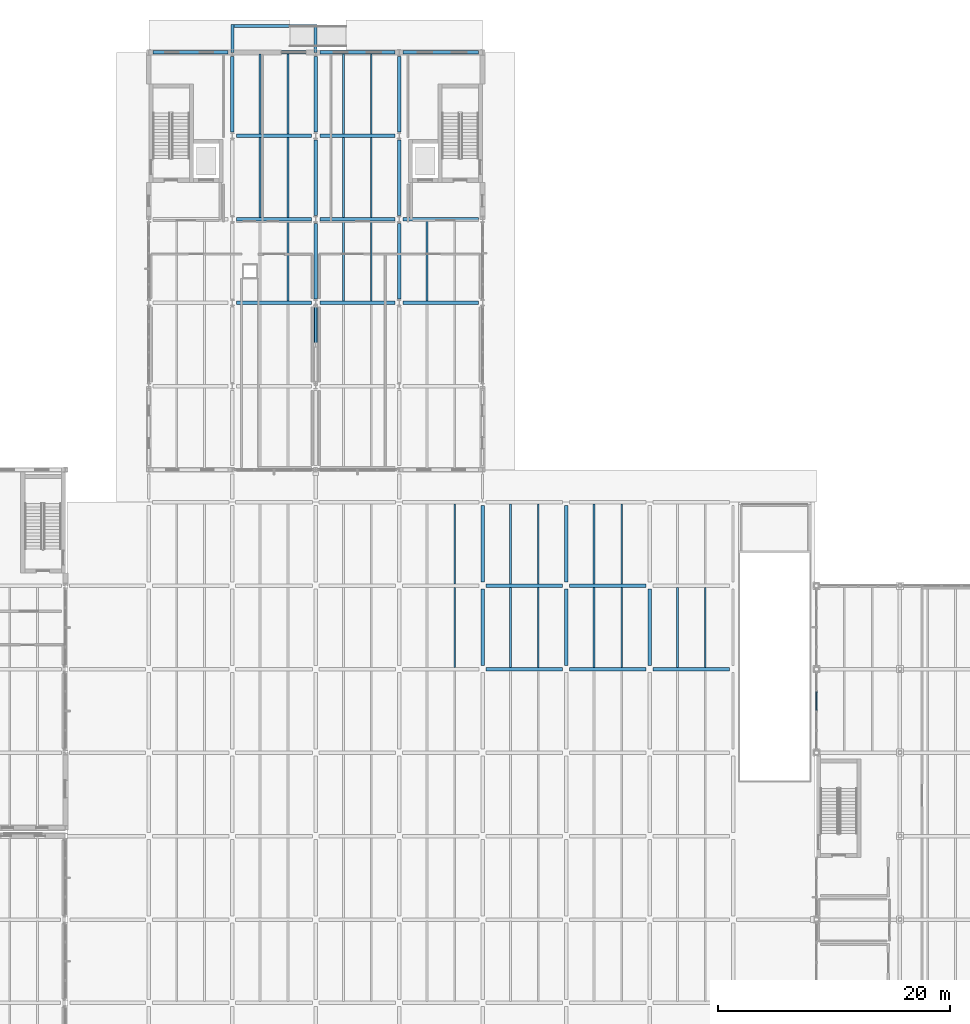
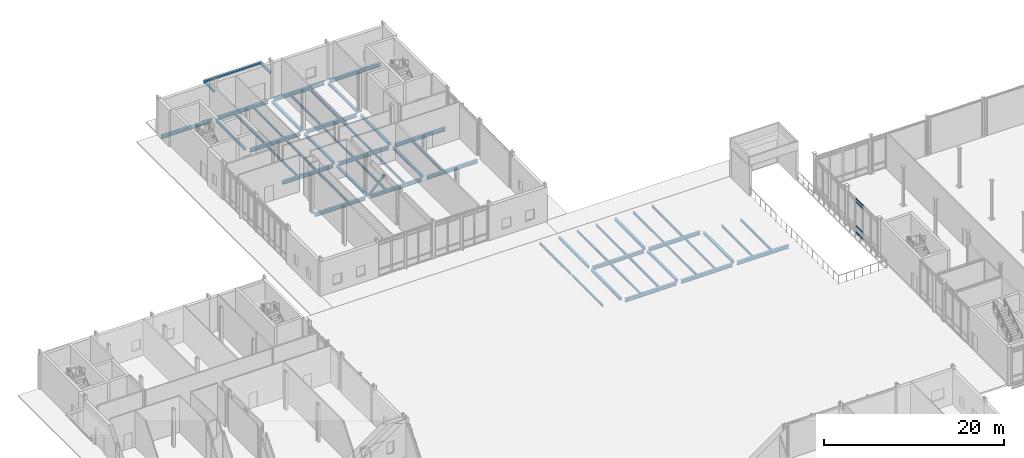
# One storey, part 33 of 89: 56 beams, 5 members, 1 element without a shape of its own.
"""IFC4 building model written with IfcOpenShell, lengths in metres."""

import ifcopenshell
import ifcopenshell.guid

model = None  # the IFC model being written
_history = None  # IfcOwnerHistory: only IFC2X3 demands one
_inside = {}  # id of a spatial element -> (the spatial element, [elements in it])
_under = {}  # id of a project, library or spatial element -> (it, [spatial elements below it])
_declared = {}  # id of a project -> (the project, [libraries it declares])
_typed = {}  # id of a type object -> (the type object, [elements of that type])
_made_of = {}  # id of a material, layer set ... -> (it, [elements and type objects made of it])


def new_model(schema):
    """Start an empty IFC model of exactly this schema.

    Asked for "IFC4X3", IfcOpenShell would pick the latest addendum, in which some entities
    have other attributes; the version numbers below select the first issue.
    IFC2X3 requires an IfcOwnerHistory on every rooted entity: one is made here for all.
    """
    global model, _history
    if schema == "IFC4X3":
        model = ifcopenshell.file(schema_version=(4, 3, 0, 0))
    else:
        model = ifcopenshell.file(schema=schema)
    _inside.clear()
    _under.clear()
    _declared.clear()
    _typed.clear()
    _made_of.clear()
    _history = None
    if model.schema == "IFC2X3":
        org = make("IfcOrganization", Name="unknown")
        user = make(
            "IfcPersonAndOrganization",
            ThePerson=make("IfcPerson", FamilyName="unknown"),
            TheOrganization=org,
        )
        app = make(
            "IfcApplication",
            ApplicationDeveloper=org,
            Version="unknown",
            ApplicationFullName="unknown",
            ApplicationIdentifier="unknown",
        )
        _history = make(
            "IfcOwnerHistory",
            OwningUser=user,
            OwningApplication=app,
            ChangeAction="ADDED",
            CreationDate=0,
        )
    return model


def make(cls, **values):
    """One entity of the class cls with the attributes given. An attribute that is None is left unset."""
    return model.create_entity(
        cls, **{name: value for name, value in values.items() if value is not None}
    )


def rooted(cls, **values):
    """An entity with a GlobalId (a new one), such as an element, a storey or a relation."""
    return make(cls, GlobalId=ifcopenshell.guid.new(), OwnerHistory=_history, **values)


def si_unit(unit_type, name, prefix=None):
    """IfcSIUnit, for example si_unit("LENGTHUNIT", "METRE", prefix="MILLI")."""
    return make("IfcSIUnit", UnitType=unit_type, Prefix=prefix, Name=name)


def assignment(units):
    """IfcUnitAssignment: the units of a project."""
    return None if units is None else make("IfcUnitAssignment", Units=units)


def point(xyz):
    """IfcCartesianPoint."""
    return None if xyz is None else make("IfcCartesianPoint", Coordinates=xyz)


def direction(xyz):
    """IfcDirection."""
    return None if xyz is None else make("IfcDirection", DirectionRatios=xyz)


def frame(location, z_axis=None, x_axis=None):
    """IfcAxis2Placement3D, a coordinate frame: its origin and axes. An axis left out is left unset."""
    return make(
        "IfcAxis2Placement3D",
        Location=point(location),
        Axis=direction(z_axis),
        RefDirection=direction(x_axis),
    )


def frame_2d(location, x_axis=None):
    """IfcAxis2Placement2D, a coordinate frame in the plane: its origin and x axis."""
    return make(
        "IfcAxis2Placement2D", Location=point(location), RefDirection=direction(x_axis)
    )


def origin():
    """The frame at (0, 0, 0) with its axes left unset."""
    return frame((0.0, 0.0, 0.0))


def origin_2d():
    """The frame at (0, 0) in the plane with its x axis left unset."""
    return frame_2d((0.0, 0.0))


def place(relative_to, where):
    """IfcLocalPlacement: puts the frame where relative to a parent placement (None: the world)."""
    return make(
        "IfcLocalPlacement", PlacementRelTo=relative_to, RelativePlacement=where
    )


def context(
    kind, dimensions, precision=None, world=None, true_north=None, identifier=None
):
    """IfcGeometricRepresentationContext, for example the 3D "Model" context."""
    return make(
        "IfcGeometricRepresentationContext",
        ContextIdentifier=identifier,
        ContextType=kind,
        CoordinateSpaceDimension=dimensions,
        Precision=precision,
        WorldCoordinateSystem=world,
        TrueNorth=true_north,
    )


def subcontext(parent, identifier, kind, view, scale=None):
    """IfcGeometricRepresentationSubContext, for example "Body" below "Model"."""
    return make(
        "IfcGeometricRepresentationSubContext",
        ContextIdentifier=identifier,
        ContextType=kind,
        ParentContext=parent,
        TargetScale=scale,
        TargetView=view,
    )


def project(units=None, contexts=None):
    """IfcProject with its units and contexts."""
    return rooted(
        "IfcProject",
        Name="project",
        RepresentationContexts=contexts,
        UnitsInContext=assignment(units),
    )


def spatial(cls, under=None, at=None, **own):
    """A site, building, storey or space (cls), placed at a placement, below another one or the project."""
    s = rooted(cls, ObjectPlacement=at, **own)
    if under is not None:
        _under.setdefault(under.id(), (under, []))[1].append(s)
    return s


def profile(cls, at=None, kind="AREA", **sizes):
    """A parametric profile (cls). Its sizes go by their IFC names, for example OverallWidth=200.0."""
    return make(cls, ProfileType=kind, Position=at, **sizes)


def rectangle(**sizes):
    """IfcRectangleProfileDef."""
    return profile("IfcRectangleProfileDef", **sizes)


def hollow_circle(**sizes):
    """IfcCircleHollowProfileDef."""
    return profile("IfcCircleHollowProfileDef", **sizes)


def i_section(**sizes):
    """IfcIShapeProfileDef."""
    return profile("IfcIShapeProfileDef", **sizes)


def extrude(swept, where, along, depth):
    """IfcExtrudedAreaSolid: the profile swept, set in the frame where, extruded along a direction by depth."""
    return make(
        "IfcExtrudedAreaSolid",
        SweptArea=swept,
        Position=where,
        ExtrudedDirection=direction(along),
        Depth=depth,
    )


def shape(context_of_items, identifier, shape_type, items):
    """IfcShapeRepresentation: the items that make up one representation, for example the "Body"."""
    return make(
        "IfcShapeRepresentation",
        ContextOfItems=context_of_items,
        RepresentationIdentifier=identifier,
        RepresentationType=shape_type,
        Items=items,
    )


def material(Name=None, Category=None):
    """IfcMaterial."""
    return make("IfcMaterial", Name=Name, Category=Category)


def layer(
    of_material, thickness, ventilated=None, Name=None, Category=None, Priority=None
):
    """IfcMaterialLayer: one layer of a wall or slab, of a material (None: an air gap)."""
    return make(
        "IfcMaterialLayer",
        Material=of_material,
        LayerThickness=thickness,
        IsVentilated=ventilated,
        Name=Name,
        Category=Category,
        Priority=Priority,
    )


def layer_set(layers, Name=None):
    """IfcMaterialLayerSet."""
    return make("IfcMaterialLayerSet", MaterialLayers=layers, LayerSetName=Name)


def material_profile(
    of_material, cross_section, Name=None, Category=None, Priority=None
):
    """IfcMaterialProfile: a cross section and its material."""
    return make(
        "IfcMaterialProfile",
        Name=Name,
        Material=of_material,
        Profile=cross_section,
        Priority=Priority,
        Category=Category,
    )


def profile_set(profiles, Name=None, composite=None):
    """IfcMaterialProfileSet."""
    return make(
        "IfcMaterialProfileSet",
        Name=Name,
        MaterialProfiles=profiles,
        CompositeProfile=composite,
    )


def made_of(thing, what):
    """Note that an element or type object is made of a material, layer set ...; save() writes the relation."""
    if what is not None:
        _made_of.setdefault(what.id(), (what, []))[1].append(thing)
    return thing


def type_object(cls, material=None, **own):
    """A type object (cls), such as IfcWallType, which elements share."""
    return made_of(rooted(cls, **own), material)


def element(
    cls,
    number,
    at=None,
    inside=None,
    cuts=None,
    type_object=None,
    material=None,
    context=None,
    identifier="Body",
    shape_type=None,
    held_by="IfcProductDefinitionShape",
    body=None,
    shapes=None,
    **own,
):
    """One element of the class cls, such as IfcWall. Its Tag is "e" and its number.

    at: its placement. inside: the storey or other place that contains it. cuts: it is an
    opening in that element (IfcRelVoidsElement). A single representation is given by context,
    identifier, shape_type and body (its items); several are given by shapes. held_by: the class
    of the entity that holds the representations. save() writes the other relations.
    """
    e = rooted(cls, Tag="e%d" % number, ObjectPlacement=at, **own)
    if body is not None:
        shapes = [shape(context, identifier, shape_type, body)]
    if shapes is not None:
        e.Representation = make(held_by, Representations=shapes)
    if inside is not None:
        _inside.setdefault(inside.id(), (inside, []))[1].append(e)
    if cuts is not None:
        rooted(
            "IfcRelVoidsElement", RelatingBuildingElement=cuts, RelatedOpeningElement=e
        )
    if type_object is not None:
        _typed.setdefault(type_object.id(), (type_object, []))[1].append(e)
    return made_of(e, material)


def aggregate(whole, parts):
    """IfcRelAggregates: a whole, such as a stair, and the parts it consists of."""
    return rooted("IfcRelAggregates", RelatingObject=whole, RelatedObjects=parts)


def save(model, path):
    """Write the relations noted so far, then the file.

    IfcRelAggregates (storeys below a building ...), IfcRelContainedInSpatialStructure (elements
    in a storey), IfcRelDefinesByType, IfcRelAssociatesMaterial and IfcRelDeclares: one each for
    every whole, place, type object, material and project.
    """
    for whole, parts in _under.values():
        aggregate(whole, parts)
    for where, things in _inside.values():
        rooted(
            "IfcRelContainedInSpatialStructure",
            RelatedElements=things,
            RelatingStructure=where,
        )
    for kind, things in _typed.values():
        rooted("IfcRelDefinesByType", RelatedObjects=things, RelatingType=kind)
    for what, things in _made_of.values():
        rooted("IfcRelAssociatesMaterial", RelatedObjects=things, RelatingMaterial=what)
    for by, libraries in _declared.values():
        rooted("IfcRelDeclares", RelatingContext=by, RelatedDefinitions=libraries)
    model.write(path)


model = new_model("IFC4")

# Units and contexts
model_context = context("Model", 3, precision=1e-05, world=origin(), true_north=direction((0.0, 1.0)))
body_context = subcontext(model_context, "Body", "Model", "MODEL_VIEW")
ifc_project = project(units=[si_unit("LENGTHUNIT", "METRE"), si_unit("AREAUNIT", "SQUARE_METRE"), si_unit("VOLUMEUNIT", "CUBIC_METRE"), si_unit("PLANEANGLEUNIT", "RADIAN"), si_unit("MASSUNIT", "GRAM", prefix="KILO")], contexts=[model_context])

# Site, building, storey
site_placement = place(None, origin())
site = spatial("IfcSite", under=ifc_project, at=site_placement, CompositionType="ELEMENT")
building_placement = place(site_placement, origin())
building = spatial("IfcBuilding", under=site, at=building_placement, Name="Zarrinpeak Specialist Clinic", CompositionType="ELEMENT")
storey_placement = place(building_placement, origin())
storey = spatial("IfcBuildingStorey", under=building, at=storey_placement, Name="L00", CompositionType="ELEMENT", Elevation=0.0)

# Beams
ifc_material_1 = material(Name="Steel S355", Category="steel")
ifc_material_profile_1 = material_profile(ifc_material_1, i_section(OverallWidth=0.260009765625, OverallDepth=0.25, WebThickness=0.007568359375, FlangeThickness=0.012451171875, FilletRadius=0.02392578125, at=origin_2d()), Name="HEA 260")
ifc_profile_set_1 = profile_set([ifc_material_profile_1], Name="Steel S355")
beam_type_1 = type_object("IfcBeamType", Name="BM-HEA260", PredefinedType="BEAM", material=ifc_profile_set_1)
for number, where, z_axis, x_axis, name in (
    (1, (43.199951171875, 118.0, 3.27490234375), (0.0, 1.0, 0.0), (-1.0, 0.0, 0.0), "V6 North Boulevard Entrance Canopy Cantilever Bracket Beam 15"),
    (2, (50.39990234375, 118.0, 3.27490234375), (0.0, 1.0, 0.0), (-1.0, 0.0, 0.0), "V6 North Boulevard Entrance Canopy Cantilever Bracket Beam 16"),
):
    element("IfcBeam", number, at=place(storey_placement, frame(where, z_axis=z_axis, x_axis=x_axis)), inside=storey, type_object=beam_type_1, Name=name, PredefinedType="BEAM", context=body_context, shape_type="SweptSolid", body=[
        extrude(i_section(OverallWidth=0.260009765625, OverallDepth=0.25, WebThickness=0.007568359375, FlangeThickness=0.012451171875, FilletRadius=0.02392578125, at=origin_2d()), origin(), (0.0, 0.0, 1.0), 2.39990234375),
    ])
beam_1_placement = place(storey_placement, frame((43.330078125, 120.27001953125, 3.27490234375), z_axis=(1.0, 0.0, 0.0), x_axis=(0.0, 1.0, 0.0)))
element("IfcBeam", 3, at=beam_1_placement, inside=storey, type_object=beam_type_1, Name="V6 North Boulevard Entrance Canopy Front Edge Tie Beam 17", PredefinedType="BEAM", context=body_context, shape_type="SweptSolid", body=[
    extrude(i_section(OverallWidth=0.260009765625, OverallDepth=0.25, WebThickness=0.007568359375, FlangeThickness=0.012451171875, FilletRadius=0.02392578125, at=origin_2d()), origin(), (0.0, 0.0, 1.0), 6.93994140625),
])
ifc_material_profile_2 = material_profile(ifc_material_1, i_section(OverallWidth=0.300048828125, OverallDepth=0.2900390625, WebThickness=0.008544921875, FlangeThickness=0.013916015625, FilletRadius=0.027099609375, at=origin_2d()), Name="HEA 300")
ifc_profile_set_2 = profile_set([ifc_material_profile_2], Name="Steel S355")
beam_type_2 = type_object("IfcBeamType", Name="BM-HEA300", PredefinedType="BEAM", material=ifc_profile_set_2)
beam_2_placement = place(storey_placement, frame((43.199951171875, 111.14794921875, -0.39501953125), z_axis=(0.0, 1.0, 0.0), x_axis=(-1.0, 0.0, 0.0)))
element("IfcBeam", 4, at=beam_2_placement, inside=storey, type_object=beam_type_2, Name="L00 Primary Beam BM-L00-Y0294", PredefinedType="BEAM", context=body_context, shape_type="SweptSolid", body=[
    extrude(i_section(OverallWidth=0.300048828125, OverallDepth=0.2900390625, WebThickness=0.008544921875, FlangeThickness=0.013916015625, FilletRadius=0.027099609375, at=origin_2d()), origin(), (0.0, 0.0, 1.0), 6.504150390625),
])
for number, where, z_axis, x_axis, name in (
    (5, (50.39990234375, 96.748046875, -0.39501953125), (0.0, 1.0, 0.0), (-1.0, 0.0, 0.0), "L00 Primary Beam BM-L00-Y0309"),
    (6, (50.39990234375, 103.947998046875, -0.39501953125), (0.0, 1.0, 0.0), (-1.0, 0.0, 0.0), "L00 Primary Beam BM-L00-Y0310"),
):
    element("IfcBeam", number, at=place(storey_placement, frame(where, z_axis=z_axis, x_axis=x_axis)), inside=storey, type_object=beam_type_2, Name=name, PredefinedType="BEAM", context=body_context, shape_type="SweptSolid", body=[
        extrude(i_section(OverallWidth=0.300048828125, OverallDepth=0.2900390625, WebThickness=0.008544921875, FlangeThickness=0.013916015625, FilletRadius=0.027099609375, at=origin_2d()), origin(), (0.0, 0.0, 1.0), 6.50390625),
    ])
beam_3_placement = place(storey_placement, frame((50.39990234375, 111.14794921875, -0.39501953125), z_axis=(0.0, 1.0, 0.0), x_axis=(-1.0, 0.0, 0.0)))
element("IfcBeam", 7, at=beam_3_placement, inside=storey, type_object=beam_type_2, Name="L00 Primary Beam BM-L00-Y0311", PredefinedType="BEAM", context=body_context, shape_type="SweptSolid", body=[
    extrude(i_section(OverallWidth=0.300048828125, OverallDepth=0.2900390625, WebThickness=0.008544921875, FlangeThickness=0.013916015625, FilletRadius=0.027099609375, at=origin_2d()), origin(), (0.0, 0.0, 1.0), 6.504150390625),
])
for number, where, z_axis, x_axis, name in (
    (8, (57.60009765625, 96.748046875, -0.39501953125), (0.0, 1.0, 0.0), (-1.0, 0.0, 0.0), "L00 Primary Beam BM-L00-Y0324"),
    (9, (57.60009765625, 103.947998046875, -0.39501953125), (0.0, 1.0, 0.0), (-1.0, 0.0, 0.0), "L00 Primary Beam BM-L00-Y0325"),
):
    element("IfcBeam", number, at=place(storey_placement, frame(where, z_axis=z_axis, x_axis=x_axis)), inside=storey, type_object=beam_type_2, Name=name, PredefinedType="BEAM", context=body_context, shape_type="SweptSolid", body=[
        extrude(i_section(OverallWidth=0.300048828125, OverallDepth=0.2900390625, WebThickness=0.008544921875, FlangeThickness=0.013916015625, FilletRadius=0.027099609375, at=origin_2d()), origin(), (0.0, 0.0, 1.0), 6.50390625),
    ])
beam_4_placement = place(storey_placement, frame((57.60009765625, 111.14794921875, -0.39501953125), z_axis=(0.0, 1.0, 0.0), x_axis=(-1.0, 0.0, 0.0)))
element("IfcBeam", 10, at=beam_4_placement, inside=storey, type_object=beam_type_2, Name="L00 Primary Beam BM-L00-Y0326", PredefinedType="BEAM", context=body_context, shape_type="SweptSolid", body=[
    extrude(i_section(OverallWidth=0.300048828125, OverallDepth=0.2900390625, WebThickness=0.008544921875, FlangeThickness=0.013916015625, FilletRadius=0.027099609375, at=origin_2d()), origin(), (0.0, 0.0, 1.0), 6.504150390625),
])
for number, where, z_axis, x_axis, name in (
    (11, (64.800048828125, 65.097900390625, -0.364990234375), (0.0, 1.0, 0.0), (-1.0, 0.0, 0.0), "L00 Primary Beam BM-L00-Y0336"),
    (12, (64.800048828125, 72.298095703125, -0.364990234375), (0.0, 1.0, 0.0), (-1.0, 0.0, 0.0), "L00 Primary Beam BM-L00-Y0337"),
    (13, (72.0, 65.097900390625, -0.364990234375), (0.0, 1.0, 0.0), (-1.0, 0.0, 0.0), "L00 Primary Beam BM-L00-Y0351"),
    (14, (72.0, 72.298095703125, -0.364990234375), (0.0, 1.0, 0.0), (-1.0, 0.0, 0.0), "L00 Primary Beam BM-L00-Y0352"),
    (15, (79.199951171875, 65.097900390625, -0.364990234375), (0.0, 1.0, 0.0), (-1.0, 0.0, 0.0), "L00 Primary Beam BM-L00-Y0362"),
):
    element("IfcBeam", number, at=place(storey_placement, frame(where, z_axis=z_axis, x_axis=x_axis)), inside=storey, type_object=beam_type_2, Name=name, PredefinedType="BEAM", context=body_context, shape_type="SweptSolid", body=[
        extrude(i_section(OverallWidth=0.300048828125, OverallDepth=0.2900390625, WebThickness=0.008544921875, FlangeThickness=0.013916015625, FilletRadius=0.027099609375, at=origin_2d()), origin(), (0.0, 0.0, 1.0), 6.60400390625),
    ])
ifc_material_profile_3 = material_profile(ifc_material_1, i_section(OverallWidth=0.300048828125, OverallDepth=0.43994140625, WebThickness=0.011474609375, FlangeThickness=0.02099609375, FilletRadius=0.027099609375, at=origin_2d()), Name="HEA 450")
ifc_profile_set_3 = profile_set([ifc_material_profile_3], Name="Steel S355")
beam_type_3 = type_object("IfcBeamType", Name="BM-HEA450", PredefinedType="BEAM", material=ifc_profile_set_3)
for number, where, z_axis, x_axis, name in (
    (16, (65.097900390625, 64.800048828125, -0.43994140625), (1.0, 0.0, 0.0), (0.0, 1.0, 0.0), "L00 Primary Floor Girder BM-L00-X0153"),
    (17, (72.298095703125, 64.800048828125, -0.43994140625), (1.0, 0.0, 0.0), (0.0, 1.0, 0.0), "L00 Primary Floor Girder BM-L00-X0154"),
    (18, (79.498046875, 64.800048828125, -0.43994140625), (1.0, 0.0, 0.0), (0.0, 1.0, 0.0), "L00 Primary Floor Girder BM-L00-X0155"),
    (19, (65.097900390625, 72.0, -0.43994140625), (1.0, 0.0, 0.0), (0.0, 1.0, 0.0), "L00 Primary Floor Girder BM-L00-X0169"),
    (20, (72.298095703125, 72.0, -0.43994140625), (1.0, 0.0, 0.0), (0.0, 1.0, 0.0), "L00 Primary Floor Girder BM-L00-X0170"),
):
    element("IfcBeam", number, at=place(storey_placement, frame(where, z_axis=z_axis, x_axis=x_axis)), inside=storey, type_object=beam_type_3, Name=name, PredefinedType="BEAM", context=body_context, shape_type="SweptSolid", body=[
        extrude(i_section(OverallWidth=0.300048828125, OverallDepth=0.43994140625, WebThickness=0.011474609375, FlangeThickness=0.02099609375, FilletRadius=0.027099609375, at=origin_2d()), origin(), (0.0, 0.0, 1.0), 6.60400390625),
    ])
for number, where, z_axis, x_axis, name in (
    (21, (43.548095703125, 96.39990234375, -0.469970703125), (1.0, 0.0, 0.0), (0.0, 1.0, 0.0), "L00 Primary Floor Girder BM-L00-X0198"),
    (22, (50.748046875, 96.39990234375, -0.469970703125), (1.0, 0.0, 0.0), (0.0, 1.0, 0.0), "L00 Primary Floor Girder BM-L00-X0199"),
    (23, (57.947998046875, 96.39990234375, -0.469970703125), (1.0, 0.0, 0.0), (0.0, 1.0, 0.0), "L00 Primary Floor Girder BM-L00-X0200"),
    (24, (43.548095703125, 103.60009765625, -0.469970703125), (1.0, 0.0, 0.0), (0.0, 1.0, 0.0), "L00 Primary Floor Girder BM-L00-X0202"),
    (25, (50.748046875, 103.60009765625, -0.469970703125), (1.0, 0.0, 0.0), (0.0, 1.0, 0.0), "L00 Primary Floor Girder BM-L00-X0203"),
    (26, (57.947998046875, 103.60009765625, -0.469970703125), (1.0, 0.0, 0.0), (0.0, 1.0, 0.0), "L00 Primary Floor Girder BM-L00-X0204"),
    (27, (43.548095703125, 110.800048828125, -0.469970703125), (1.0, 0.0, 0.0), (0.0, 1.0, 0.0), "L00 Primary Floor Girder BM-L00-X0205"),
    (28, (50.748046875, 110.800048828125, -0.469970703125), (1.0, 0.0, 0.0), (0.0, 1.0, 0.0), "L00 Primary Floor Girder BM-L00-X0206"),
):
    element("IfcBeam", number, at=place(storey_placement, frame(where, z_axis=z_axis, x_axis=x_axis)), inside=storey, type_object=beam_type_3, Name=name, PredefinedType="BEAM", context=body_context, shape_type="SweptSolid", body=[
        extrude(i_section(OverallWidth=0.300048828125, OverallDepth=0.43994140625, WebThickness=0.011474609375, FlangeThickness=0.02099609375, FilletRadius=0.027099609375, at=origin_2d()), origin(), (0.0, 0.0, 1.0), 6.50390625),
    ])
beam_5_placement = place(storey_placement, frame((36.347900390625, 118.0, -0.469970703125), z_axis=(1.0, 0.0, 0.0), x_axis=(0.0, 1.0, 0.0)))
element("IfcBeam", 29, at=beam_5_placement, inside=storey, type_object=beam_type_3, Name="L00 Primary Floor Girder BM-L00-X0207", PredefinedType="BEAM", context=body_context, shape_type="SweptSolid", body=[
    extrude(i_section(OverallWidth=0.300048828125, OverallDepth=0.43994140625, WebThickness=0.011474609375, FlangeThickness=0.02099609375, FilletRadius=0.027099609375, at=origin_2d()), origin(), (0.0, 0.0, 1.0), 6.504150390625),
])
for number, where, z_axis, x_axis, name in (
    (30, (43.548095703125, 118.0, -0.469970703125), (1.0, 0.0, 0.0), (0.0, 1.0, 0.0), "L00 Primary Floor Girder BM-L00-X0208"),
    (31, (50.748046875, 118.0, -0.469970703125), (1.0, 0.0, 0.0), (0.0, 1.0, 0.0), "L00 Primary Floor Girder BM-L00-X0209"),
    (32, (57.947998046875, 118.0, -0.469970703125), (1.0, 0.0, 0.0), (0.0, 1.0, 0.0), "L00 Primary Floor Girder BM-L00-X0210"),
):
    element("IfcBeam", number, at=place(storey_placement, frame(where, z_axis=z_axis, x_axis=x_axis)), inside=storey, type_object=beam_type_3, Name=name, PredefinedType="BEAM", context=body_context, shape_type="SweptSolid", body=[
        extrude(i_section(OverallWidth=0.300048828125, OverallDepth=0.43994140625, WebThickness=0.011474609375, FlangeThickness=0.02099609375, FilletRadius=0.027099609375, at=origin_2d()), origin(), (0.0, 0.0, 1.0), 6.50390625),
    ])
ifc_material_profile_4 = material_profile(ifc_material_1, i_section(OverallWidth=0.14990234375, OverallDepth=0.300048828125, WebThickness=0.007080078125, FlangeThickness=0.0107421875, FilletRadius=0.014892578125, at=origin_2d()), Name="IPE 300")
ifc_profile_set_4 = profile_set([ifc_material_profile_4], Name="Steel S355")
beam_type_4 = type_object("IfcBeamType", Name="BM-JST300", PredefinedType="JOIST", material=ifc_profile_set_4)
beam_6_placement = place(storey_placement, frame((48.0, 96.548095703125, -0.39990234375), z_axis=(0.0, 1.0, 0.0), x_axis=(-1.0, 0.0, 0.0)))
element("IfcBeam", 33, at=beam_6_placement, inside=storey, type_object=beam_type_4, Name="L00 Composite Floor Joist JST-L00-0583", PredefinedType="JOIST", context=body_context, shape_type="SweptSolid", body=[
    extrude(i_section(OverallWidth=0.14990234375, OverallDepth=0.300048828125, WebThickness=0.007080078125, FlangeThickness=0.0107421875, FilletRadius=0.014892578125, at=origin_2d()), origin(), (0.0, 0.0, 1.0), 6.90380859375),
])
for number, where, z_axis, x_axis, name in (
    (34, (45.60009765625, 103.748046875, -0.39990234375), (0.0, 1.0, 0.0), (-1.0, 0.0, 0.0), "L00 Composite Floor Joist JST-L00-0584"),
    (35, (48.0, 103.748046875, -0.39990234375), (0.0, 1.0, 0.0), (-1.0, 0.0, 0.0), "L00 Composite Floor Joist JST-L00-0585"),
    (36, (45.60009765625, 110.947998046875, -0.39990234375), (0.0, 1.0, 0.0), (-1.0, 0.0, 0.0), "L00 Composite Floor Joist JST-L00-0586"),
    (37, (48.0, 110.947998046875, -0.39990234375), (0.0, 1.0, 0.0), (-1.0, 0.0, 0.0), "L00 Composite Floor Joist JST-L00-0587"),
):
    element("IfcBeam", number, at=place(storey_placement, frame(where, z_axis=z_axis, x_axis=x_axis)), inside=storey, type_object=beam_type_4, Name=name, PredefinedType="JOIST", context=body_context, shape_type="SweptSolid", body=[
        extrude(i_section(OverallWidth=0.14990234375, OverallDepth=0.300048828125, WebThickness=0.007080078125, FlangeThickness=0.0107421875, FilletRadius=0.014892578125, at=origin_2d()), origin(), (0.0, 0.0, 1.0), 6.904052734375),
    ])
for number, where, z_axis, x_axis, name in (
    (38, (52.800048828125, 96.548095703125, -0.39990234375), (0.0, 1.0, 0.0), (-1.0, 0.0, 0.0), "L00 Composite Floor Joist JST-L00-0592"),
    (39, (55.199951171875, 96.548095703125, -0.39990234375), (0.0, 1.0, 0.0), (-1.0, 0.0, 0.0), "L00 Composite Floor Joist JST-L00-0593"),
):
    element("IfcBeam", number, at=place(storey_placement, frame(where, z_axis=z_axis, x_axis=x_axis)), inside=storey, type_object=beam_type_4, Name=name, PredefinedType="JOIST", context=body_context, shape_type="SweptSolid", body=[
        extrude(i_section(OverallWidth=0.14990234375, OverallDepth=0.300048828125, WebThickness=0.007080078125, FlangeThickness=0.0107421875, FilletRadius=0.014892578125, at=origin_2d()), origin(), (0.0, 0.0, 1.0), 6.90380859375),
    ])
for number, where, z_axis, x_axis, name in (
    (40, (52.800048828125, 103.748046875, -0.39990234375), (0.0, 1.0, 0.0), (-1.0, 0.0, 0.0), "L00 Composite Floor Joist JST-L00-0594"),
    (41, (55.199951171875, 103.748046875, -0.39990234375), (0.0, 1.0, 0.0), (-1.0, 0.0, 0.0), "L00 Composite Floor Joist JST-L00-0595"),
    (42, (52.800048828125, 110.947998046875, -0.39990234375), (0.0, 1.0, 0.0), (-1.0, 0.0, 0.0), "L00 Composite Floor Joist JST-L00-0596"),
    (43, (55.199951171875, 110.947998046875, -0.39990234375), (0.0, 1.0, 0.0), (-1.0, 0.0, 0.0), "L00 Composite Floor Joist JST-L00-0597"),
):
    element("IfcBeam", number, at=place(storey_placement, frame(where, z_axis=z_axis, x_axis=x_axis)), inside=storey, type_object=beam_type_4, Name=name, PredefinedType="JOIST", context=body_context, shape_type="SweptSolid", body=[
        extrude(i_section(OverallWidth=0.14990234375, OverallDepth=0.300048828125, WebThickness=0.007080078125, FlangeThickness=0.0107421875, FilletRadius=0.014892578125, at=origin_2d()), origin(), (0.0, 0.0, 1.0), 6.904052734375),
    ])
beam_7_placement = place(storey_placement, frame((60.0, 96.548095703125, -0.39990234375), z_axis=(0.0, 1.0, 0.0), x_axis=(-1.0, 0.0, 0.0)))
element("IfcBeam", 44, at=beam_7_placement, inside=storey, type_object=beam_type_4, Name="L00 Composite Floor Joist JST-L00-0602", PredefinedType="JOIST", context=body_context, shape_type="SweptSolid", body=[
    extrude(i_section(OverallWidth=0.14990234375, OverallDepth=0.300048828125, WebThickness=0.007080078125, FlangeThickness=0.0107421875, FilletRadius=0.014892578125, at=origin_2d()), origin(), (0.0, 0.0, 1.0), 6.90380859375),
])
for number, where, z_axis, x_axis, name in (
    (45, (62.39990234375, 64.947998046875, -0.3701171875), (0.0, 1.0, 0.0), (-1.0, 0.0, 0.0), "L00 Composite Floor Joist JST-L00-0649"),
    (46, (62.39990234375, 72.14794921875, -0.3701171875), (0.0, 1.0, 0.0), (-1.0, 0.0, 0.0), "L00 Composite Floor Joist JST-L00-0651"),
    (47, (67.199951171875, 64.947998046875, -0.3701171875), (0.0, 1.0, 0.0), (-1.0, 0.0, 0.0), "L00 Composite Floor Joist JST-L00-0660"),
    (48, (69.60009765625, 64.947998046875, -0.3701171875), (0.0, 1.0, 0.0), (-1.0, 0.0, 0.0), "L00 Composite Floor Joist JST-L00-0661"),
    (49, (67.199951171875, 72.14794921875, -0.3701171875), (0.0, 1.0, 0.0), (-1.0, 0.0, 0.0), "L00 Composite Floor Joist JST-L00-0662"),
    (50, (69.60009765625, 72.14794921875, -0.3701171875), (0.0, 1.0, 0.0), (-1.0, 0.0, 0.0), "L00 Composite Floor Joist JST-L00-0663"),
    (51, (74.39990234375, 64.947998046875, -0.3701171875), (0.0, 1.0, 0.0), (-1.0, 0.0, 0.0), "L00 Composite Floor Joist JST-L00-0672"),
    (52, (76.800048828125, 64.947998046875, -0.3701171875), (0.0, 1.0, 0.0), (-1.0, 0.0, 0.0), "L00 Composite Floor Joist JST-L00-0673"),
    (53, (74.39990234375, 72.14794921875, -0.3701171875), (0.0, 1.0, 0.0), (-1.0, 0.0, 0.0), "L00 Composite Floor Joist JST-L00-0674"),
    (54, (76.800048828125, 72.14794921875, -0.3701171875), (0.0, 1.0, 0.0), (-1.0, 0.0, 0.0), "L00 Composite Floor Joist JST-L00-0675"),
    (55, (81.60009765625, 64.947998046875, -0.3701171875), (0.0, 1.0, 0.0), (-1.0, 0.0, 0.0), "L00 Composite Floor Joist JST-L00-0684"),
    (56, (84.0, 64.947998046875, -0.3701171875), (0.0, 1.0, 0.0), (-1.0, 0.0, 0.0), "L00 Composite Floor Joist JST-L00-0685"),
):
    element("IfcBeam", number, at=place(storey_placement, frame(where, z_axis=z_axis, x_axis=x_axis)), inside=storey, type_object=beam_type_4, Name=name, PredefinedType="JOIST", context=body_context, shape_type="SweptSolid", body=[
        extrude(i_section(OverallWidth=0.14990234375, OverallDepth=0.300048828125, WebThickness=0.007080078125, FlangeThickness=0.0107421875, FilletRadius=0.014892578125, at=origin_2d()), origin(), (0.0, 0.0, 1.0), 6.904052734375),
    ])

# Curtain wall, members
ifc_material_2 = material(Name="Anodised Aluminium Alloy 6063-T6", Category="aluminium")
ifc_layer = layer(ifc_material_2, 0.199951171875)
ifc_layer_set = layer_set([ifc_layer], Name="Anodised Aluminium Alloy 6063-T6")
curtain_wall_type = type_object("IfcCurtainWallType", Name="CW-HALL", PredefinedType="NOTDEFINED", material=ifc_layer_set)
curtain_wall_placement = place(storey_placement, origin())
curtain_wall = element("IfcCurtainWall", 57, at=curtain_wall_placement, inside=storey, type_object=curtain_wall_type, Name="L00 V3 Unitised Curtain Wall CW-L00-V3-089", PredefinedType="NOTDEFINED")
ifc_material_profile_5 = material_profile(ifc_material_2, rectangle(XDim=0.090087890625, YDim=0.18994140625, at=origin_2d()), Name="ALU 90x190")
ifc_profile_set_5 = profile_set([ifc_material_profile_5], Name="Anodised Aluminium Alloy 6063-T6")
member_type_1 = type_object("IfcMemberType", Name="CWT-90", PredefinedType="USERDEFINED", material=ifc_profile_set_5)
member_1_placement = place(storey_placement, frame((93.60009765625, 62.8408203125, 0.044921875), z_axis=(0.0, -1.0, 0.0), x_axis=(1.0, 0.0, 0.0)))
member_1 = element("IfcMember", 58, at=member_1_placement, type_object=member_type_1, Name="CW-02 transom 2.1", ObjectType="TRANSOM", PredefinedType="USERDEFINED", context=body_context, shape_type="SweptSolid", body=[
    extrude(rectangle(XDim=0.090087890625, YDim=0.18994140625, at=origin_2d()), origin(), (0.0, 0.0, 1.0), 1.595703125),
])
member_2_placement = place(storey_placement, frame((93.60009765625, 62.8408203125, 0.89990234375), z_axis=(0.0, -1.0, 0.0), x_axis=(1.0, 0.0, 0.0)))
member_2 = element("IfcMember", 59, at=member_2_placement, type_object=member_type_1, Name="CW-02 transom 2.2", ObjectType="TRANSOM", PredefinedType="USERDEFINED", context=body_context, shape_type="SweptSolid", body=[
    extrude(rectangle(XDim=0.090087890625, YDim=0.18994140625, at=origin_2d()), origin(), (0.0, 0.0, 1.0), 1.595703125),
])
member_3_placement = place(storey_placement, frame((93.60009765625, 62.8408203125, 4.14501953125), z_axis=(0.0, -1.0, 0.0), x_axis=(1.0, 0.0, 0.0)))
member_3 = element("IfcMember", 60, at=member_3_placement, type_object=member_type_1, Name="CW-02 transom 2.3", ObjectType="TRANSOM", PredefinedType="USERDEFINED", context=body_context, shape_type="SweptSolid", body=[
    extrude(rectangle(XDim=0.090087890625, YDim=0.18994140625, at=origin_2d()), origin(), (0.0, 0.0, 1.0), 1.595703125),
])
member_4_placement = place(storey_placement, frame((93.60009765625, 62.8408203125, 4.550048828125), z_axis=(0.0, -1.0, 0.0), x_axis=(1.0, 0.0, 0.0)))
member_4 = element("IfcMember", 61, at=member_4_placement, type_object=member_type_1, Name="CW-02 transom 2.4", ObjectType="TRANSOM", PredefinedType="USERDEFINED", context=body_context, shape_type="SweptSolid", body=[
    extrude(rectangle(XDim=0.090087890625, YDim=0.18994140625, at=origin_2d()), origin(), (0.0, 0.0, 1.0), 1.595703125),
])
aggregate(curtain_wall, [member_1, member_2, member_3, member_4])

# Member
ifc_material_profile_6 = material_profile(ifc_material_1, hollow_circle(Radius=0.136474609375, WallThickness=0.012451171875, at=origin_2d()), Name="CHS 273.0x12.5")
ifc_profile_set_6 = profile_set([ifc_material_profile_6], Name="Steel S355")
member_type_2 = type_object("IfcMemberType", Name="MB-BR273", PredefinedType="BRACE", material=ifc_profile_set_6)
member_5_placement = place(storey_placement, frame((50.39990234375, 96.14990234375, 0.0048828125), z_axis=(0.0, -0.582450228574, 0.81286636739), x_axis=(1.0, 0.0, 0.0)))
element("IfcMember", 62, at=member_5_placement, inside=storey, type_object=member_type_2, Name="V6 L00 Seismic Concentric Brace CBF-044", PredefinedType="BRACE", context=body_context, shape_type="SweptSolid", body=[
    extrude(hollow_circle(Radius=0.136474609375, WallThickness=0.012451171875, at=origin_2d()), origin(), (0.0, 0.0, 1.0), 5.751220703125),
])

save(model, "model.ifc")
